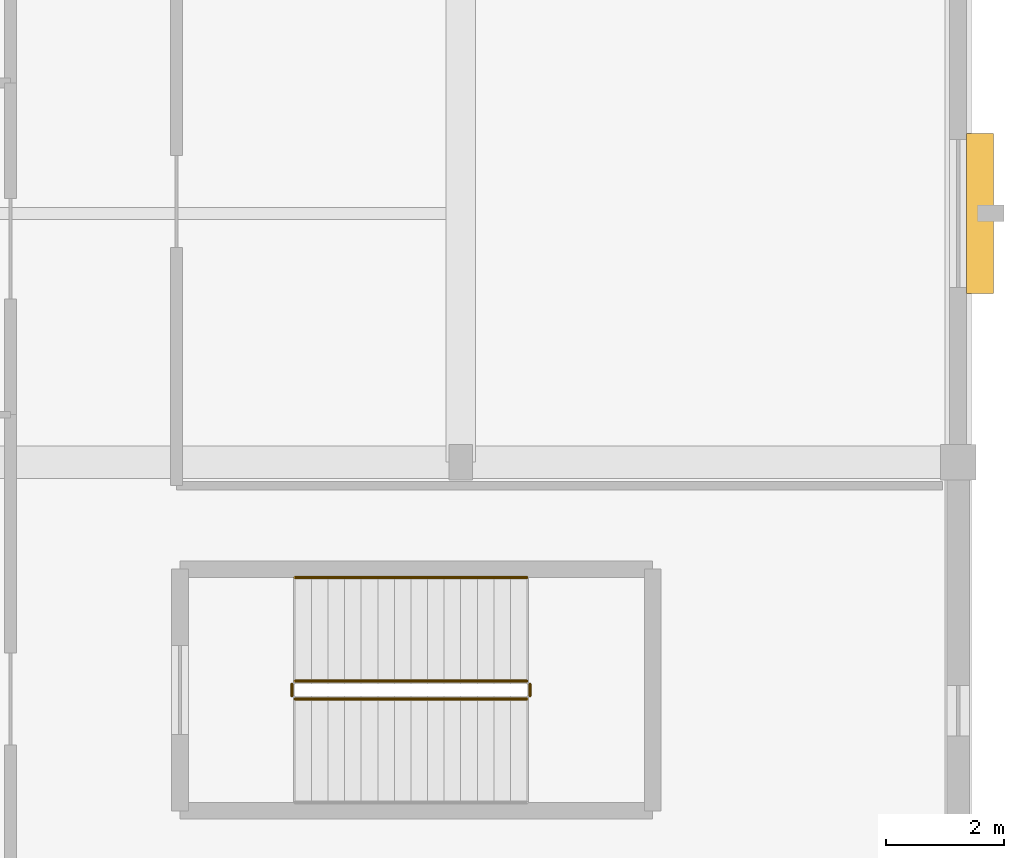
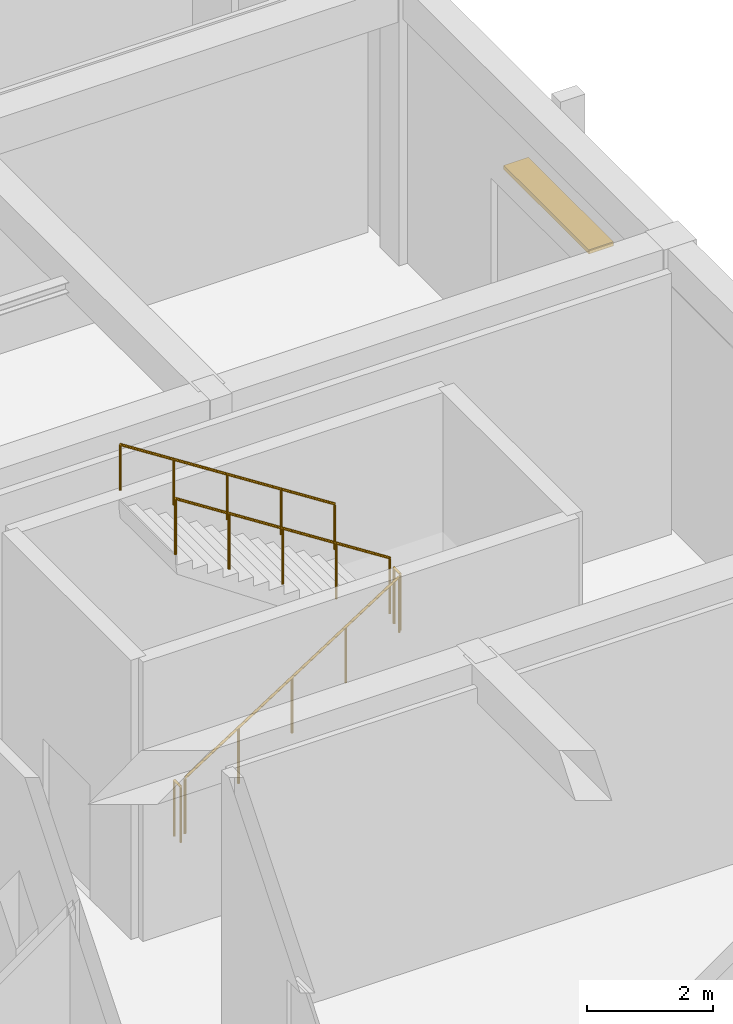
# One storey, part 150 of 157: 5 railings, 1 shading device.
"""IFC4 building model written with IfcOpenShell, lengths in metres."""

from ifc_helpers import new_model, si_unit, direction, frame, origin, origin_2d, place, context, subcontext, project, spatial, rectangle, circle, extrude, material, layer, layer_set, type_object, element, save


model = new_model("IFC4")

# Units and contexts
model_context = context("Model", 3, precision=1e-05, world=origin(), true_north=direction((0.0, 1.0)))
body_context = subcontext(model_context, "Body", "Model", "MODEL_VIEW")
ifc_project = project(units=[si_unit("LENGTHUNIT", "METRE"), si_unit("AREAUNIT", "SQUARE_METRE"), si_unit("VOLUMEUNIT", "CUBIC_METRE"), si_unit("PLANEANGLEUNIT", "RADIAN"), si_unit("MASSUNIT", "GRAM", prefix="KILO")], contexts=[model_context])

# Site, building, storey
site_placement = place(None, origin())
site = spatial("IfcSite", under=ifc_project, at=site_placement, CompositionType="ELEMENT")
building_placement = place(site_placement, origin())
building = spatial("IfcBuilding", under=site, at=building_placement, Name="Varncliffe General Hospital", CompositionType="ELEMENT")
storey_placement = place(building_placement, frame((0.0, 0.0, 5.39990234375)))
storey = spatial("IfcBuildingStorey", under=building, at=storey_placement, Name="L01", CompositionType="ELEMENT", Elevation=5.39990234375)

# Shading device
ifc_material_1 = material(Name="Dark bronze extruded aluminium solar jalousie louvres", Category="aluminium")
ifc_layer = layer(ifc_material_1, 0.080078125)
ifc_layer_set = layer_set([ifc_layer], Name="Dark bronze extruded aluminium solar jalousie louvres")
shading_device_type = type_object("IfcShadingDeviceType", Name="Bronze Solar Jalousie Louvre Hood SHD18", PredefinedType="JALOUSIE", material=ifc_layer_set)
shading_device_placement = place(storey_placement, frame((176.77001953125, 28.199951171875, 3.260009765625), z_axis=(0.0, 0.0, 1.0), x_axis=(0.0, -1.0, 0.0)))
element("IfcShadingDevice", 1, at=shading_device_placement, inside=storey, type_object=shading_device_type, Name="L01 Bronze Window Sun-Shading Louvre 38", PredefinedType="JALOUSIE", context=body_context, shape_type="SweptSolid", body=[
    extrude(rectangle(XDim=2.699951171875, YDim=0.449951171875, at=origin_2d()), origin(), (0.0, 0.0, 1.0), 0.080078125),
])

# Railings
ifc_material_2 = material(Name="Powder-coated hospital steel guardrail and handrail", Category="steel")
railing_type_1 = type_object("IfcRailingType", Name="Stair and Ramp Handrail HR46", PredefinedType="HANDRAIL", material=ifc_material_2)
railing_1_placement = place(storey_placement, frame((169.1201171875, 22.050048828125, 3.064208984375)))
element("IfcRailing", 2, at=railing_1_placement, inside=storey, type_object=railing_type_1, Name="L01 ST11 stair handrail 2", PredefinedType="HANDRAIL", context=body_context, shape_type="SweptSolid", body=[
    extrude(circle(Radius=0.02392578125, at=origin_2d()), frame((0.0, 0.0, 0.8759765625), z_axis=(-0.841210815121, 0.0, 0.540707281738), x_axis=(0.0, -1.0, 0.0)), (0.0, 0.0, 1.0), 4.66015625),
    extrude(circle(Radius=0.02099609375, at=origin_2d()), origin(), (0.0, 0.0, 1.0), 0.851806640625),
    extrude(circle(Radius=0.02099609375, at=origin_2d()), frame((-0.97998046875, 0.0, 0.6298828125)), (0.0, 0.0, 1.0), 0.851806640625),
    extrude(circle(Radius=0.02099609375, at=origin_2d()), frame((-1.9599609375, 0.0, 1.259765625)), (0.0, 0.0, 1.0), 0.851806640625),
    extrude(circle(Radius=0.02099609375, at=origin_2d()), frame((-2.940185546875, 0.0, 1.889892578125)), (0.0, 0.0, 1.0), 0.851806640625),
    extrude(circle(Radius=0.02099609375, at=origin_2d()), frame((-3.920166015625, 0.0, 2.519775390625)), (0.0, 0.0, 1.0), 0.851806640625),
])
railing_type_2 = type_object("IfcRailingType", Name="Stairwell Guardrail SG49", PredefinedType="GUARDRAIL", material=ifc_material_2)
railing_2_placement = place(storey_placement, frame((165.199951171875, 20.0, 0.18017578125)))
element("IfcRailing", 3, at=railing_2_placement, inside=storey, type_object=railing_type_2, Name="L01 ST11 stair guard 1", PredefinedType="GUARDRAIL", context=body_context, shape_type="SweptSolid", body=[
    extrude(circle(Radius=0.02392578125, at=origin_2d()), frame((0.0, 0.0, 1.076171875), z_axis=(0.841186985886, 0.0, 0.540744352514), x_axis=(0.0, 1.0, 0.0)), (0.0, 0.0, 1.0), 4.660400390625),
    extrude(circle(Radius=0.02099609375, at=origin_2d()), origin(), (0.0, 0.0, 1.0), 1.052001953125),
    extrude(circle(Radius=0.02099609375, at=origin_2d()), frame((0.97998046875, 0.0, 0.6298828125)), (0.0, 0.0, 1.0), 1.052001953125),
    extrude(circle(Radius=0.02099609375, at=origin_2d()), frame((1.9599609375, 0.0, 1.260009765625)), (0.0, 0.0, 1.0), 1.052001953125),
    extrude(circle(Radius=0.02099609375, at=origin_2d()), frame((2.940185546875, 0.0, 1.89013671875)), (0.0, 0.0, 1.0), 1.052001953125),
    extrude(circle(Radius=0.02099609375, at=origin_2d()), frame((3.920166015625, 0.0, 2.52001953125)), (0.0, 0.0, 1.0), 1.052001953125),
])
railing_3_placement = place(storey_placement, frame((169.169921875, 20.050048828125, 2.7001953125)))
element("IfcRailing", 4, at=railing_3_placement, inside=storey, type_object=railing_type_2, Name="L01 ST11 stair guard 2", PredefinedType="GUARDRAIL", context=body_context, shape_type="SweptSolid", body=[
    extrude(circle(Radius=0.02392578125, at=origin_2d()), frame((0.0, 0.0, 1.076171875), z_axis=(0.0, 1.0, 0.0), x_axis=(-1.0, 0.0, 0.0)), (0.0, 0.0, 1.0), 0.199951171875),
    extrude(circle(Radius=0.02099609375, at=origin_2d()), origin(), (0.0, 0.0, 1.0), 1.052001953125),
    extrude(circle(Radius=0.02099609375, at=origin_2d()), frame((0.0, 0.199951171875, 0.0)), (0.0, 0.0, 1.0), 1.052001953125),
])
railing_4_placement = place(storey_placement, frame((169.1201171875, 20.300048828125, 2.880126953125)))
element("IfcRailing", 5, at=railing_4_placement, inside=storey, type_object=railing_type_2, Name="L01 ST11 stair guard 3", PredefinedType="GUARDRAIL", context=body_context, shape_type="SweptSolid", body=[
    extrude(circle(Radius=0.02392578125, at=origin_2d()), frame((0.0, 0.0, 1.076171875), z_axis=(-0.841186985886, 0.0, 0.540744352514), x_axis=(0.0, -1.0, 0.0)), (0.0, 0.0, 1.0), 4.660400390625),
    extrude(circle(Radius=0.02099609375, at=origin_2d()), origin(), (0.0, 0.0, 1.0), 1.052001953125),
    extrude(circle(Radius=0.02099609375, at=origin_2d()), frame((-0.97998046875, 0.0, 0.6298828125)), (0.0, 0.0, 1.0), 1.052001953125),
    extrude(circle(Radius=0.02099609375, at=origin_2d()), frame((-1.9599609375, 0.0, 1.260009765625)), (0.0, 0.0, 1.0), 1.052001953125),
    extrude(circle(Radius=0.02099609375, at=origin_2d()), frame((-2.940185546875, 0.0, 1.89013671875)), (0.0, 0.0, 1.0), 1.052001953125),
    extrude(circle(Radius=0.02099609375, at=origin_2d()), frame((-3.920166015625, 0.0, 2.52001953125)), (0.0, 0.0, 1.0), 1.052001953125),
])
railing_5_placement = place(storey_placement, frame((165.14990234375, 20.050048828125, 0.0)))
element("IfcRailing", 6, at=railing_5_placement, inside=storey, type_object=railing_type_2, Name="L01 ST11 stair guard 4", PredefinedType="GUARDRAIL", context=body_context, shape_type="SweptSolid", body=[
    extrude(circle(Radius=0.02392578125, at=origin_2d()), frame((0.0, 0.0, 1.076171875), z_axis=(0.0, 1.0, 0.0), x_axis=(-1.0, 0.0, 0.0)), (0.0, 0.0, 1.0), 0.199951171875),
    extrude(circle(Radius=0.02099609375, at=origin_2d()), origin(), (0.0, 0.0, 1.0), 1.052001953125),
    extrude(circle(Radius=0.02099609375, at=origin_2d()), frame((0.0, 0.199951171875, 0.0)), (0.0, 0.0, 1.0), 1.052001953125),
])

save(model, "model.ifc")
